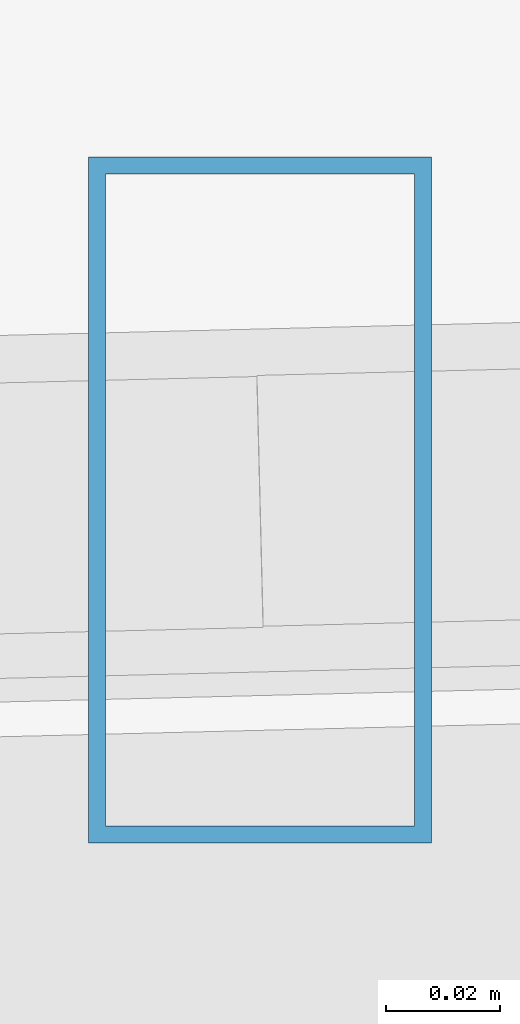
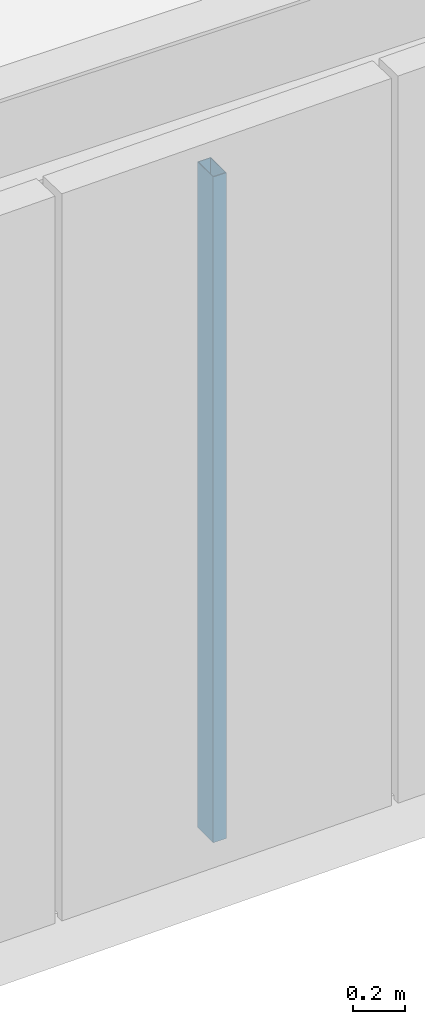
# One storey, part 21 of 48: 1 member, 1 element without a shape of its own.
"""IFC4 building model written with IfcOpenShell, lengths in metres."""

from ifc_helpers import new_model, si_unit, direction, frame, origin, origin_2d, place, context, subcontext, project, spatial, hollow_rectangle, extrude, source, transform, mapped, material, material_profile, profile_set, type_object, type_shapes, element, aggregate, save


model = new_model("IFC4")

# Units and contexts
model_context = context("Model", 3, precision=1e-05, world=origin(), true_north=direction((0.0, 1.0)))
body_context = subcontext(model_context, "Body", "Model", "MODEL_VIEW")
ifc_project = project(units=[si_unit("LENGTHUNIT", "METRE"), si_unit("AREAUNIT", "SQUARE_METRE"), si_unit("VOLUMEUNIT", "CUBIC_METRE"), si_unit("PLANEANGLEUNIT", "RADIAN"), si_unit("MASSUNIT", "GRAM", prefix="KILO")], contexts=[model_context])

# Site, building, storey
site_placement = place(None, origin())
site = spatial("IfcSite", under=ifc_project, at=site_placement, CompositionType="ELEMENT")
building_placement = place(site_placement, origin())
building = spatial("IfcBuilding", under=site, at=building_placement, Name="Caelisora Broadcast Tower", CompositionType="ELEMENT")
storey_placement = place(building_placement, frame((0.0, 0.0, 300.0)))
storey = spatial("IfcBuildingStorey", under=building, at=storey_placement, Name="L79", CompositionType="ELEMENT", Elevation=300.0)

# Curtain wall, member
ifc_material_1 = material(Name="Unitised Aluminium Insulated Shadow-Box Spandrel Curtain Wall", Category="aluminium")
curtain_wall_type = type_object("IfcCurtainWallType", Name="CW-SP3", PredefinedType="NOTDEFINED", material=ifc_material_1)
curtain_wall_placement = place(storey_placement, origin())
curtain_wall = element("IfcCurtainWall", 1, at=curtain_wall_placement, inside=storey, type_object=curtain_wall_type, Name="L79 curtain wall CW-SP3", PredefinedType="NOTDEFINED")
ifc_material_2 = material(Name="Aluminium 6063-T6 Anodised Terracotta Bronze", Category="aluminium")
ifc_material_profile = material_profile(ifc_material_2, hollow_rectangle(XDim=0.06005859375, YDim=0.1201171875, WallThickness=0.0029296875, at=origin_2d()), Name="Aluminium 6063-T6 Anodised Terracotta Bronze")
ifc_profile_set = profile_set([ifc_material_profile], Name="Aluminium 6063-T6 Anodised Terracotta Bronze")
member_type = type_object("IfcMemberType", Name="CWM-04", PredefinedType="MULLION", material=ifc_profile_set)
shared_shape = source(origin(), body_context, "Body", "SweptSolid", [
    extrude(hollow_rectangle(XDim=0.06005859375, YDim=0.1201171875, WallThickness=0.0029296875, at=origin_2d()), origin(), (0.0, 0.0, 1.0), 3.14990234375),
])
type_shapes(member_type, [shared_shape])
member_placement = place(storey_placement, frame((49.779052734375, 9.34912109375, 0.0), z_axis=(0.0, 0.0, 1.0), x_axis=(1.0, 0.0, 0.0)))
member = element("IfcMember", 2, at=member_placement, type_object=member_type, Name="L79-CW-B05 mullion #2", PredefinedType="MULLION", context=body_context, shape_type="MappedRepresentation", body=[
    mapped(shared_shape, transform((0.0, 0.0, 0.0), scale=1.0)),
])
aggregate(curtain_wall, [member])

save(model, "model.ifc")
